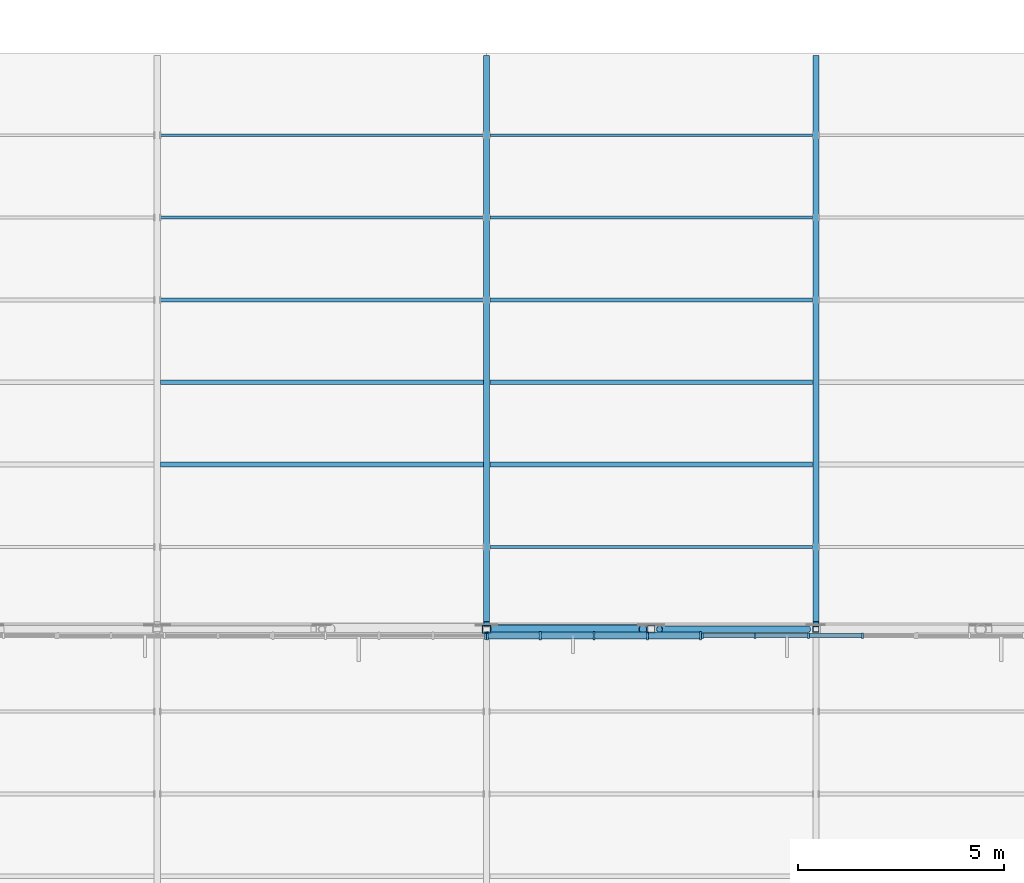
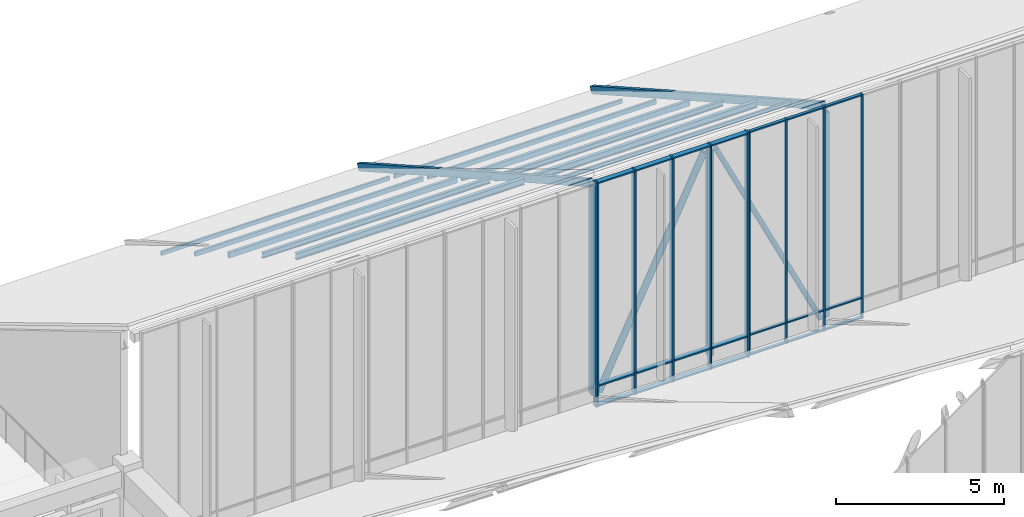
# One storey, part 71 of 155: 49 members, 3 elements without a shape of their own.
"""IFC4 building model written with IfcOpenShell, lengths in metres."""

from ifc_helpers import new_model, si_unit, direction, frame, origin, origin_2d, place, context, subcontext, project, spatial, rectangle, hollow_rectangle, hollow_circle, i_section, extrude, material, material_profile, profile_set, type_object, element, aggregate, save


model = new_model("IFC4")

# Units and contexts
model_context = context("Model", 3, precision=1e-05, world=origin(), true_north=direction((0.0, 1.0)))
body_context = subcontext(model_context, "Body", "Model", "MODEL_VIEW")
ifc_project = project(units=[si_unit("LENGTHUNIT", "METRE"), si_unit("AREAUNIT", "SQUARE_METRE"), si_unit("VOLUMEUNIT", "CUBIC_METRE"), si_unit("PLANEANGLEUNIT", "RADIAN"), si_unit("MASSUNIT", "GRAM", prefix="KILO")], contexts=[model_context])

# Site, building, storey
site_placement = place(None, origin())
site = spatial("IfcSite", under=ifc_project, at=site_placement, CompositionType="ELEMENT")
building_placement = place(site_placement, origin())
building = spatial("IfcBuilding", under=site, at=building_placement, Name="Larkveld Mobility Hub", CompositionType="ELEMENT")
storey_placement = place(building_placement, frame((0.0, 0.0, 8.39990234375)))
storey = spatial("IfcBuildingStorey", under=building, at=storey_placement, Name="L02", CompositionType="ELEMENT", Elevation=8.39990234375)

# Curtain wall, member
ifc_material_1 = material(Name="Anodised aluminium 6063-T6", Category="aluminium")
curtain_wall_type_1 = type_object("IfcCurtainWallType", Name="CW-SYS-10", PredefinedType="NOTDEFINED", material=ifc_material_1)
curtain_wall_1_placement = place(storey_placement, origin())
curtain_wall_1 = element("IfcCurtainWall", 1, at=curtain_wall_1_placement, inside=storey, type_object=curtain_wall_type_1, Name="Sawtooth South-Light Clerestory B7 CW-046", PredefinedType="NOTDEFINED")
ifc_material_profile_1 = material_profile(ifc_material_1, rectangle(XDim=0.050048828125, YDim=0.179931640625, at=origin_2d()), Name="ALU MULL 50x180")
ifc_profile_set_1 = profile_set([ifc_material_profile_1], Name="Anodised aluminium 6063-T6")
member_type_1 = type_object("IfcMemberType", Name="CW-MUL-02", PredefinedType="MULLION", material=ifc_profile_set_1)
member_1_placement = place(storey_placement, frame((167.97509765625, 111.844970703125, -0.001953125), z_axis=(0.0, 0.0, 1.0), x_axis=(1.0, 0.0, 0.0)))
member_1 = element("IfcMember", 2, at=member_1_placement, type_object=member_type_1, Name="CW10 mullion 5", PredefinedType="MULLION", context=body_context, shape_type="SweptSolid", body=[
    extrude(rectangle(XDim=0.050048828125, YDim=0.179931640625, at=origin_2d()), origin(), (0.0, 0.0, 1.0), 8.152099609375),
])
aggregate(curtain_wall_1, [member_1])

# Curtain wall, members
curtain_wall_type_2 = type_object("IfcCurtainWallType", Name="CW-SYS-11", PredefinedType="NOTDEFINED", material=ifc_material_1)
curtain_wall_2_placement = place(storey_placement, origin())
curtain_wall_2 = element("IfcCurtainWall", 3, at=curtain_wall_2_placement, inside=storey, type_object=curtain_wall_type_2, Name="Sawtooth South-Light Clerestory B7 CW-047", PredefinedType="NOTDEFINED")
ifc_material_profile_2 = material_profile(ifc_material_1, rectangle(XDim=0.050048828125, YDim=0.2099609375, at=origin_2d()), Name="ALU MULL 50x210")
ifc_profile_set_2 = profile_set([ifc_material_profile_2], Name="Anodised aluminium 6063-T6")
member_type_2 = type_object("IfcMemberType", Name="CW-MUL-03", PredefinedType="MULLION", material=ifc_profile_set_2)
member_2_placement = place(storey_placement, frame((168.02490234375, 111.844970703125, -0.001953125), z_axis=(0.0, 0.0, 1.0), x_axis=(1.0, 0.0, 0.0)))
member_2 = element("IfcMember", 4, at=member_2_placement, type_object=member_type_2, Name="CW11 mullion 1", PredefinedType="MULLION", context=body_context, shape_type="SweptSolid", body=[
    extrude(rectangle(XDim=0.050048828125, YDim=0.2099609375, at=origin_2d()), origin(), (0.0, 0.0, 1.0), 8.152099609375),
])
member_3_placement = place(storey_placement, frame((169.303955078125, 111.844970703125, -0.001953125), z_axis=(0.0, 0.0, 1.0), x_axis=(1.0, 0.0, 0.0)))
member_3 = element("IfcMember", 5, at=member_3_placement, type_object=member_type_2, Name="CW11 mullion 2", PredefinedType="MULLION", context=body_context, shape_type="SweptSolid", body=[
    extrude(rectangle(XDim=0.050048828125, YDim=0.2099609375, at=origin_2d()), origin(), (0.0, 0.0, 1.0), 8.152099609375),
])
member_4_placement = place(storey_placement, frame((170.60791015625, 111.844970703125, -0.001953125), z_axis=(0.0, 0.0, 1.0), x_axis=(1.0, 0.0, 0.0)))
member_4 = element("IfcMember", 6, at=member_4_placement, type_object=member_type_2, Name="CW11 mullion 3", PredefinedType="MULLION", context=body_context, shape_type="SweptSolid", body=[
    extrude(rectangle(XDim=0.050048828125, YDim=0.2099609375, at=origin_2d()), origin(), (0.0, 0.0, 1.0), 8.152099609375),
])
member_5_placement = place(storey_placement, frame((171.912109375, 111.844970703125, -0.001953125), z_axis=(0.0, 0.0, 1.0), x_axis=(1.0, 0.0, 0.0)))
member_5 = element("IfcMember", 7, at=member_5_placement, type_object=member_type_2, Name="CW11 mullion 4", PredefinedType="MULLION", context=body_context, shape_type="SweptSolid", body=[
    extrude(rectangle(XDim=0.050048828125, YDim=0.2099609375, at=origin_2d()), origin(), (0.0, 0.0, 1.0), 8.152099609375),
])
member_6_placement = place(storey_placement, frame((173.19189453125, 111.844970703125, -0.001953125), z_axis=(0.0, 0.0, 1.0), x_axis=(1.0, 0.0, 0.0)))
member_6 = element("IfcMember", 8, at=member_6_placement, type_object=member_type_2, Name="CW11 mullion 5", PredefinedType="MULLION", context=body_context, shape_type="SweptSolid", body=[
    extrude(rectangle(XDim=0.050048828125, YDim=0.2099609375, at=origin_2d()), origin(), (0.0, 0.0, 1.0), 8.152099609375),
])

curtain_wall_type_3 = type_object("IfcCurtainWallType", Name="CW-SYS-12", PredefinedType="NOTDEFINED", material=ifc_material_1)
curtain_wall_3_placement = place(storey_placement, origin())
curtain_wall_3 = element("IfcCurtainWall", 9, at=curtain_wall_3_placement, inside=storey, type_object=curtain_wall_type_3, Name="Sawtooth South-Light Clerestory B7 CW-048", PredefinedType="NOTDEFINED")
ifc_material_profile_3 = material_profile(ifc_material_1, rectangle(XDim=0.050048828125, YDim=0.1298828125, at=origin_2d()), Name="ALU MULL 50x130")
ifc_profile_set_3 = profile_set([ifc_material_profile_3], Name="Anodised aluminium 6063-T6")
member_type_3 = type_object("IfcMemberType", Name="CW-MUL-04", PredefinedType="MULLION", material=ifc_profile_set_3)
member_7_placement = place(storey_placement, frame((173.241943359375, 111.844970703125, -0.001953125), z_axis=(0.0, 0.0, 1.0), x_axis=(1.0, 0.0, 0.0)))
member_7 = element("IfcMember", 10, at=member_7_placement, type_object=member_type_3, Name="CW12 mullion 1", PredefinedType="MULLION", context=body_context, shape_type="SweptSolid", body=[
    extrude(rectangle(XDim=0.050048828125, YDim=0.1298828125, at=origin_2d()), origin(), (0.0, 0.0, 1.0), 8.152099609375),
])
member_8_placement = place(storey_placement, frame((174.52099609375, 111.844970703125, -0.001953125), z_axis=(0.0, 0.0, 1.0), x_axis=(1.0, 0.0, 0.0)))
member_8 = element("IfcMember", 11, at=member_8_placement, type_object=member_type_3, Name="CW12 mullion 2", PredefinedType="MULLION", context=body_context, shape_type="SweptSolid", body=[
    extrude(rectangle(XDim=0.050048828125, YDim=0.1298828125, at=origin_2d()), origin(), (0.0, 0.0, 1.0), 8.152099609375),
])
member_9_placement = place(storey_placement, frame((175.824951171875, 111.844970703125, -0.001953125), z_axis=(0.0, 0.0, 1.0), x_axis=(1.0, 0.0, 0.0)))
member_9 = element("IfcMember", 12, at=member_9_placement, type_object=member_type_3, Name="CW12 mullion 3", PredefinedType="MULLION", context=body_context, shape_type="SweptSolid", body=[
    extrude(rectangle(XDim=0.050048828125, YDim=0.1298828125, at=origin_2d()), origin(), (0.0, 0.0, 1.0), 8.152099609375),
])
member_10_placement = place(storey_placement, frame((177.1298828125, 111.844970703125, -0.001953125), z_axis=(0.0, 0.0, 1.0), x_axis=(1.0, 0.0, 0.0)))
member_10 = element("IfcMember", 13, at=member_10_placement, type_object=member_type_3, Name="CW12 mullion 4", PredefinedType="MULLION", context=body_context, shape_type="SweptSolid", body=[
    extrude(rectangle(XDim=0.050048828125, YDim=0.1298828125, at=origin_2d()), origin(), (0.0, 0.0, 1.0), 8.152099609375),
])

# Member
ifc_material_profile_4 = material_profile(ifc_material_1, rectangle(XDim=0.169921875, YDim=0.050048828125, at=origin_2d()), Name="ALU TRAN 50x170")
ifc_profile_set_4 = profile_set([ifc_material_profile_4], Name="Anodised aluminium 6063-T6")
member_type_4 = type_object("IfcMemberType", Name="CW-TRN-03", PredefinedType="USERDEFINED", material=ifc_profile_set_4)
member_11_placement = place(storey_placement, frame((168.034912109375, 111.844970703125, 0.030029296875), z_axis=(1.0, 0.0, 0.0), x_axis=(0.0, 1.0, 0.0)))
member_11 = element("IfcMember", 14, at=member_11_placement, type_object=member_type_4, Name="CW11 transom 1.1", ObjectType="TRANSOM", PredefinedType="USERDEFINED", context=body_context, shape_type="SweptSolid", body=[
    extrude(rectangle(XDim=0.169921875, YDim=0.050048828125, at=origin_2d()), origin(), (0.0, 0.0, 1.0), 1.254150390625),
])

member_12_placement = place(storey_placement, frame((168.034912109375, 111.844970703125, 0.75), z_axis=(1.0, 0.0, 0.0), x_axis=(0.0, 1.0, 0.0)))
member_12 = element("IfcMember", 15, at=member_12_placement, type_object=member_type_4, Name="CW11 transom 1.2", ObjectType="TRANSOM", PredefinedType="USERDEFINED", context=body_context, shape_type="SweptSolid", body=[
    extrude(rectangle(XDim=0.169921875, YDim=0.050048828125, at=origin_2d()), origin(), (0.0, 0.0, 1.0), 1.254150390625),
])

member_13_placement = place(storey_placement, frame((168.034912109375, 111.844970703125, 8.1181640625), z_axis=(1.0, 0.0, 0.0), x_axis=(0.0, 1.0, 0.0)))
member_13 = element("IfcMember", 16, at=member_13_placement, type_object=member_type_4, Name="CW11 transom 1.3", ObjectType="TRANSOM", PredefinedType="USERDEFINED", context=body_context, shape_type="SweptSolid", body=[
    extrude(rectangle(XDim=0.169921875, YDim=0.050048828125, at=origin_2d()), origin(), (0.0, 0.0, 1.0), 1.254150390625),
])

member_14_placement = place(storey_placement, frame((169.319091796875, 111.844970703125, 0.030029296875), z_axis=(1.0, 0.0, 0.0), x_axis=(0.0, 1.0, 0.0)))
member_14 = element("IfcMember", 17, at=member_14_placement, type_object=member_type_4, Name="CW11 transom 2.1", ObjectType="TRANSOM", PredefinedType="USERDEFINED", context=body_context, shape_type="SweptSolid", body=[
    extrude(rectangle(XDim=0.169921875, YDim=0.050048828125, at=origin_2d()), origin(), (0.0, 0.0, 1.0), 1.27392578125),
])

member_15_placement = place(storey_placement, frame((169.319091796875, 111.844970703125, 0.75), z_axis=(1.0, 0.0, 0.0), x_axis=(0.0, 1.0, 0.0)))
member_15 = element("IfcMember", 18, at=member_15_placement, type_object=member_type_4, Name="CW11 transom 2.2", ObjectType="TRANSOM", PredefinedType="USERDEFINED", context=body_context, shape_type="SweptSolid", body=[
    extrude(rectangle(XDim=0.169921875, YDim=0.050048828125, at=origin_2d()), origin(), (0.0, 0.0, 1.0), 1.27392578125),
])

member_16_placement = place(storey_placement, frame((169.319091796875, 111.844970703125, 8.1181640625), z_axis=(1.0, 0.0, 0.0), x_axis=(0.0, 1.0, 0.0)))
member_16 = element("IfcMember", 19, at=member_16_placement, type_object=member_type_4, Name="CW11 transom 2.3", ObjectType="TRANSOM", PredefinedType="USERDEFINED", context=body_context, shape_type="SweptSolid", body=[
    extrude(rectangle(XDim=0.169921875, YDim=0.050048828125, at=origin_2d()), origin(), (0.0, 0.0, 1.0), 1.27392578125),
])

member_17_placement = place(storey_placement, frame((170.623046875, 111.844970703125, 0.030029296875), z_axis=(1.0, 0.0, 0.0), x_axis=(0.0, 1.0, 0.0)))
member_17 = element("IfcMember", 20, at=member_17_placement, type_object=member_type_4, Name="CW11 transom 3.1", ObjectType="TRANSOM", PredefinedType="USERDEFINED", context=body_context, shape_type="SweptSolid", body=[
    extrude(rectangle(XDim=0.169921875, YDim=0.050048828125, at=origin_2d()), origin(), (0.0, 0.0, 1.0), 1.27490234375),
])

member_18_placement = place(storey_placement, frame((170.623046875, 111.844970703125, 0.75), z_axis=(1.0, 0.0, 0.0), x_axis=(0.0, 1.0, 0.0)))
member_18 = element("IfcMember", 21, at=member_18_placement, type_object=member_type_4, Name="CW11 transom 3.2", ObjectType="TRANSOM", PredefinedType="USERDEFINED", context=body_context, shape_type="SweptSolid", body=[
    extrude(rectangle(XDim=0.169921875, YDim=0.050048828125, at=origin_2d()), origin(), (0.0, 0.0, 1.0), 1.27490234375),
])

member_19_placement = place(storey_placement, frame((170.623046875, 111.844970703125, 8.1181640625), z_axis=(1.0, 0.0, 0.0), x_axis=(0.0, 1.0, 0.0)))
member_19 = element("IfcMember", 22, at=member_19_placement, type_object=member_type_4, Name="CW11 transom 3.3", ObjectType="TRANSOM", PredefinedType="USERDEFINED", context=body_context, shape_type="SweptSolid", body=[
    extrude(rectangle(XDim=0.169921875, YDim=0.050048828125, at=origin_2d()), origin(), (0.0, 0.0, 1.0), 1.27490234375),
])

member_20_placement = place(storey_placement, frame((171.927978515625, 111.844970703125, 0.030029296875), z_axis=(1.0, 0.0, 0.0), x_axis=(0.0, 1.0, 0.0)))
member_20 = element("IfcMember", 23, at=member_20_placement, type_object=member_type_4, Name="CW11 transom 4.1", ObjectType="TRANSOM", PredefinedType="USERDEFINED", context=body_context, shape_type="SweptSolid", body=[
    extrude(rectangle(XDim=0.169921875, YDim=0.050048828125, at=origin_2d()), origin(), (0.0, 0.0, 1.0), 1.25390625),
])

member_21_placement = place(storey_placement, frame((171.927978515625, 111.844970703125, 0.75), z_axis=(1.0, 0.0, 0.0), x_axis=(0.0, 1.0, 0.0)))
member_21 = element("IfcMember", 24, at=member_21_placement, type_object=member_type_4, Name="CW11 transom 4.2", ObjectType="TRANSOM", PredefinedType="USERDEFINED", context=body_context, shape_type="SweptSolid", body=[
    extrude(rectangle(XDim=0.169921875, YDim=0.050048828125, at=origin_2d()), origin(), (0.0, 0.0, 1.0), 1.25390625),
])

member_22_placement = place(storey_placement, frame((171.927978515625, 111.844970703125, 8.1181640625), z_axis=(1.0, 0.0, 0.0), x_axis=(0.0, 1.0, 0.0)))
member_22 = element("IfcMember", 25, at=member_22_placement, type_object=member_type_4, Name="CW11 transom 4.3", ObjectType="TRANSOM", PredefinedType="USERDEFINED", context=body_context, shape_type="SweptSolid", body=[
    extrude(rectangle(XDim=0.169921875, YDim=0.050048828125, at=origin_2d()), origin(), (0.0, 0.0, 1.0), 1.25390625),
])

aggregate(curtain_wall_2, [member_2, member_3, member_4, member_5, member_6, member_11, member_12, member_13, member_14, member_15, member_16, member_17, member_18, member_19, member_20, member_21, member_22])

ifc_material_profile_5 = material_profile(ifc_material_1, rectangle(XDim=0.10009765625, YDim=0.050048828125, at=origin_2d()), Name="ALU TRAN 50x100")
ifc_profile_set_5 = profile_set([ifc_material_profile_5], Name="Anodised aluminium 6063-T6")
member_type_5 = type_object("IfcMemberType", Name="CW-TRN-04", PredefinedType="USERDEFINED", material=ifc_profile_set_5)
member_23_placement = place(storey_placement, frame((173.251953125, 111.844970703125, 0.030029296875), z_axis=(1.0, 0.0, 0.0), x_axis=(0.0, 1.0, 0.0)))
member_23 = element("IfcMember", 26, at=member_23_placement, type_object=member_type_5, Name="CW12 transom 1.1", ObjectType="TRANSOM", PredefinedType="USERDEFINED", context=body_context, shape_type="SweptSolid", body=[
    extrude(rectangle(XDim=0.10009765625, YDim=0.050048828125, at=origin_2d()), origin(), (0.0, 0.0, 1.0), 1.254150390625),
])

member_24_placement = place(storey_placement, frame((173.251953125, 111.844970703125, 0.75), z_axis=(1.0, 0.0, 0.0), x_axis=(0.0, 1.0, 0.0)))
member_24 = element("IfcMember", 27, at=member_24_placement, type_object=member_type_5, Name="CW12 transom 1.2", ObjectType="TRANSOM", PredefinedType="USERDEFINED", context=body_context, shape_type="SweptSolid", body=[
    extrude(rectangle(XDim=0.10009765625, YDim=0.050048828125, at=origin_2d()), origin(), (0.0, 0.0, 1.0), 1.254150390625),
])

member_25_placement = place(storey_placement, frame((173.251953125, 111.844970703125, 8.1181640625), z_axis=(1.0, 0.0, 0.0), x_axis=(0.0, 1.0, 0.0)))
member_25 = element("IfcMember", 28, at=member_25_placement, type_object=member_type_5, Name="CW12 transom 1.3", ObjectType="TRANSOM", PredefinedType="USERDEFINED", context=body_context, shape_type="SweptSolid", body=[
    extrude(rectangle(XDim=0.10009765625, YDim=0.050048828125, at=origin_2d()), origin(), (0.0, 0.0, 1.0), 1.254150390625),
])

member_26_placement = place(storey_placement, frame((174.535888671875, 111.844970703125, 0.030029296875), z_axis=(1.0, 0.0, 0.0), x_axis=(0.0, 1.0, 0.0)))
member_26 = element("IfcMember", 29, at=member_26_placement, type_object=member_type_5, Name="CW12 transom 2.1", ObjectType="TRANSOM", PredefinedType="USERDEFINED", context=body_context, shape_type="SweptSolid", body=[
    extrude(rectangle(XDim=0.10009765625, YDim=0.050048828125, at=origin_2d()), origin(), (0.0, 0.0, 1.0), 1.274169921875),
])

member_27_placement = place(storey_placement, frame((174.535888671875, 111.844970703125, 0.75), z_axis=(1.0, 0.0, 0.0), x_axis=(0.0, 1.0, 0.0)))
member_27 = element("IfcMember", 30, at=member_27_placement, type_object=member_type_5, Name="CW12 transom 2.2", ObjectType="TRANSOM", PredefinedType="USERDEFINED", context=body_context, shape_type="SweptSolid", body=[
    extrude(rectangle(XDim=0.10009765625, YDim=0.050048828125, at=origin_2d()), origin(), (0.0, 0.0, 1.0), 1.274169921875),
])

member_28_placement = place(storey_placement, frame((174.535888671875, 111.844970703125, 8.1181640625), z_axis=(1.0, 0.0, 0.0), x_axis=(0.0, 1.0, 0.0)))
member_28 = element("IfcMember", 31, at=member_28_placement, type_object=member_type_5, Name="CW12 transom 2.3", ObjectType="TRANSOM", PredefinedType="USERDEFINED", context=body_context, shape_type="SweptSolid", body=[
    extrude(rectangle(XDim=0.10009765625, YDim=0.050048828125, at=origin_2d()), origin(), (0.0, 0.0, 1.0), 1.274169921875),
])

member_29_placement = place(storey_placement, frame((175.840087890625, 111.844970703125, 0.030029296875), z_axis=(1.0, 0.0, 0.0), x_axis=(0.0, 1.0, 0.0)))
member_29 = element("IfcMember", 32, at=member_29_placement, type_object=member_type_5, Name="CW12 transom 3.1", ObjectType="TRANSOM", PredefinedType="USERDEFINED", context=body_context, shape_type="SweptSolid", body=[
    extrude(rectangle(XDim=0.10009765625, YDim=0.050048828125, at=origin_2d()), origin(), (0.0, 0.0, 1.0), 1.27490234375),
])

member_30_placement = place(storey_placement, frame((175.840087890625, 111.844970703125, 0.75), z_axis=(1.0, 0.0, 0.0), x_axis=(0.0, 1.0, 0.0)))
member_30 = element("IfcMember", 33, at=member_30_placement, type_object=member_type_5, Name="CW12 transom 3.2", ObjectType="TRANSOM", PredefinedType="USERDEFINED", context=body_context, shape_type="SweptSolid", body=[
    extrude(rectangle(XDim=0.10009765625, YDim=0.050048828125, at=origin_2d()), origin(), (0.0, 0.0, 1.0), 1.27490234375),
])

member_31_placement = place(storey_placement, frame((175.840087890625, 111.844970703125, 8.1181640625), z_axis=(1.0, 0.0, 0.0), x_axis=(0.0, 1.0, 0.0)))
member_31 = element("IfcMember", 34, at=member_31_placement, type_object=member_type_5, Name="CW12 transom 3.3", ObjectType="TRANSOM", PredefinedType="USERDEFINED", context=body_context, shape_type="SweptSolid", body=[
    extrude(rectangle(XDim=0.10009765625, YDim=0.050048828125, at=origin_2d()), origin(), (0.0, 0.0, 1.0), 1.27490234375),
])

aggregate(curtain_wall_3, [member_7, member_8, member_9, member_10, member_23, member_24, member_25, member_26, member_27, member_28, member_29, member_30, member_31])

# Members
ifc_material_2 = material(Name="Steel S355JR", Category="steel")
ifc_material_profile_6 = material_profile(ifc_material_2, hollow_circle(Radius=0.084228515625, WallThickness=0.008056640625, at=origin_2d()), Name="CHS 168.3x8")
ifc_profile_set_6 = profile_set([ifc_material_profile_6], Name="Steel S355JR")
member_type_6 = type_object("IfcMemberType", Name="MB-BR-CHS168", PredefinedType="BRACE", material=ifc_profile_set_6)
member_32_placement = place(storey_placement, frame((172.199951171875, 112.0, 7.800048828125), z_axis=(0.435573281392, 0.0, -0.900153273914), x_axis=(0.0, 1.0, 0.0)))
element("IfcMember", 35, at=member_32_placement, inside=storey, type_object=member_type_6, Name="ROOF TRUSS T7 Web Diagonal 6", PredefinedType="BRACE", context=body_context, shape_type="SweptSolid", body=[
    extrude(hollow_circle(Radius=0.084228515625, WallThickness=0.008056640625, at=origin_2d()), origin(), (0.0, 0.0, 1.0), 8.26513671875),
])
ifc_material_profile_7 = material_profile(ifc_material_2, hollow_circle(Radius=0.109619140625, WallThickness=0.010009765625, at=origin_2d()), Name="CHS 219.1x10")
ifc_profile_set_7 = profile_set([ifc_material_profile_7], Name="Steel S355JR")
member_type_7 = type_object("IfcMemberType", Name="MB-BR-CHS219", PredefinedType="BRACE", material=ifc_profile_set_7)
member_33_placement = place(storey_placement, frame((168.199951171875, 112.0, 0.360107421875), z_axis=(0.435573281392, 0.0, 0.900153273914), x_axis=(0.0, 1.0, 0.0)))
element("IfcMember", 36, at=member_33_placement, inside=storey, type_object=member_type_7, Name="ROOF TRUSS T7 Web Diagonal 5", PredefinedType="BRACE", context=body_context, shape_type="SweptSolid", body=[
    extrude(hollow_circle(Radius=0.109619140625, WallThickness=0.010009765625, at=origin_2d()), origin(), (0.0, 0.0, 1.0), 8.26513671875),
])
ifc_material_profile_8 = material_profile(ifc_material_2, hollow_rectangle(XDim=0.14990234375, YDim=0.14990234375, WallThickness=0.008056640625, at=origin_2d()), Name="SHS 150x150x8")
ifc_profile_set_8 = profile_set([ifc_material_profile_8], Name="Steel S355JR")
member_type_8 = type_object("IfcMemberType", Name="MB-BR-SHS150", PredefinedType="BRACE", material=ifc_profile_set_8)
member_34_placement = place(storey_placement, frame((176.0, 112.0, 0.360107421875), z_axis=(0.0, 0.0, 1.0), x_axis=(1.0, 0.0, 0.0)))
element("IfcMember", 37, at=member_34_placement, inside=storey, type_object=member_type_8, Name="ROOF TRUSS T7 Vertical Post 6", PredefinedType="BRACE", context=body_context, shape_type="SweptSolid", body=[
    extrude(hollow_rectangle(XDim=0.14990234375, YDim=0.14990234375, WallThickness=0.008056640625, at=origin_2d()), origin(), (0.0, 0.0, 1.0), 7.43994140625),
])
ifc_material_profile_9 = material_profile(ifc_material_2, hollow_rectangle(XDim=0.179931640625, YDim=0.179931640625, WallThickness=0.010009765625, at=origin_2d()), Name="SHS 180x180x10")
ifc_profile_set_9 = profile_set([ifc_material_profile_9], Name="Steel S355JR")
member_type_9 = type_object("IfcMemberType", Name="MB-BR-SHS180", PredefinedType="BRACE", material=ifc_profile_set_9)
member_35_placement = place(storey_placement, frame((172.0, 112.0, 0.360107421875), z_axis=(0.0, 0.0, 1.0), x_axis=(1.0, 0.0, 0.0)))
element("IfcMember", 38, at=member_35_placement, inside=storey, type_object=member_type_9, Name="ROOF TRUSS T7 Vertical Post 5", PredefinedType="BRACE", context=body_context, shape_type="SweptSolid", body=[
    extrude(hollow_rectangle(XDim=0.179931640625, YDim=0.179931640625, WallThickness=0.010009765625, at=origin_2d()), origin(), (0.0, 0.0, 1.0), 7.43994140625),
])
ifc_material_profile_10 = material_profile(ifc_material_2, hollow_rectangle(XDim=0.199951171875, YDim=0.199951171875, WallThickness=0.010009765625, at=origin_2d()), Name="SHS 200x200x10")
ifc_profile_set_10 = profile_set([ifc_material_profile_10], Name="Steel S355JR")
member_type_10 = type_object("IfcMemberType", Name="MB-BR-SHS200", PredefinedType="BRACE", material=ifc_profile_set_10)
member_36_placement = place(storey_placement, frame((168.0, 112.0, 0.360107421875), z_axis=(0.0, 0.0, 1.0), x_axis=(1.0, 0.0, 0.0)))
element("IfcMember", 39, at=member_36_placement, inside=storey, type_object=member_type_10, Name="ROOF TRUSS T7 Vertical Post 4", PredefinedType="BRACE", context=body_context, shape_type="SweptSolid", body=[
    extrude(hollow_rectangle(XDim=0.199951171875, YDim=0.199951171875, WallThickness=0.010009765625, at=origin_2d()), origin(), (0.0, 0.0, 1.0), 7.43994140625),
])
ifc_material_profile_11 = material_profile(ifc_material_2, hollow_rectangle(XDim=0.14990234375, YDim=0.25, WallThickness=0.010009765625, at=origin_2d()), Name="RHS 250x150x10")
ifc_profile_set_11 = profile_set([ifc_material_profile_11], Name="Steel S355JR")
member_type_11 = type_object("IfcMemberType", Name="MB-CH-RHS250", PredefinedType="CHORD", material=ifc_profile_set_11)
for number, where, z_axis, x_axis, name in (
    (40, (168.0, 112.1201171875, 7.9501953125), (0.0, 0.870759014799, -0.491710014283), (-1.0, 0.0, 0.0), "ROOF TRUSS Sloped Rafter Chord B7-168"),
    (41, (176.0, 112.1201171875, 7.9501953125), (0.0, 0.870759014799, -0.491710014283), (-1.0, 0.0, 0.0), "ROOF TRUSS Sloped Rafter Chord B7-176"),
):
    element("IfcMember", number, at=place(storey_placement, frame(where, z_axis=z_axis, x_axis=x_axis)), inside=storey, type_object=member_type_11, Name=name, PredefinedType="CHORD", context=body_context, shape_type="SweptSolid", body=[
        extrude(hollow_rectangle(XDim=0.14990234375, YDim=0.25, WallThickness=0.010009765625, at=origin_2d()), origin(), (0.0, 0.0, 1.0), 15.802001953125),
    ])
ifc_material_profile_12 = material_profile(ifc_material_2, i_section(OverallWidth=0.10009765625, OverallDepth=0.199951171875, WebThickness=0.005615234375, FlangeThickness=0.008544921875, FilletRadius=0.011962890625, at=origin_2d()), Name="IPE 200")
ifc_profile_set_12 = profile_set([ifc_material_profile_12], Name="Steel S355JR")
member_type_12 = type_object("IfcMemberType", Name="MB-PR-IPE200", PredefinedType="PURLIN", material=ifc_profile_set_12)
for number, where, z_axis, x_axis, name in (
    (42, (160.080078125, 118.0, 4.507080078125), (1.0, 0.0, 0.0), (0.0, 1.0, 0.0), "Sawtooth Roof Purlin B7-3.2"),
    (43, (168.080078125, 118.0, 4.507080078125), (1.0, 0.0, 0.0), (0.0, 1.0, 0.0), "Sawtooth Roof Purlin B7-3.3"),
):
    element("IfcMember", number, at=place(storey_placement, frame(where, z_axis=z_axis, x_axis=x_axis)), inside=storey, type_object=member_type_12, Name=name, PredefinedType="PURLIN", context=body_context, shape_type="SweptSolid", body=[
        extrude(i_section(OverallWidth=0.10009765625, OverallDepth=0.199951171875, WebThickness=0.005615234375, FlangeThickness=0.008544921875, FilletRadius=0.011962890625, at=origin_2d()), origin(), (0.0, 0.0, 1.0), 7.83984375),
    ])
ifc_material_profile_13 = material_profile(ifc_material_2, i_section(OverallWidth=0.1201171875, OverallDepth=0.239990234375, WebThickness=0.006103515625, FlangeThickness=0.009765625, FilletRadius=0.014892578125, at=origin_2d()), Name="IPE 240")
ifc_profile_set_13 = profile_set([ifc_material_profile_13], Name="Steel S355JR")
member_type_13 = type_object("IfcMemberType", Name="MB-PR-IPE240", PredefinedType="PURLIN", material=ifc_profile_set_13)
for number, where, z_axis, x_axis, name in (
    (44, (160.080078125, 116.0, 5.68701171875), (1.0, 0.0, 0.0), (0.0, 1.0, 0.0), "Sawtooth Roof Purlin B7-2.2"),
    (45, (168.080078125, 116.0, 5.68701171875), (1.0, 0.0, 0.0), (0.0, 1.0, 0.0), "Sawtooth Roof Purlin B7-2.3"),
):
    element("IfcMember", number, at=place(storey_placement, frame(where, z_axis=z_axis, x_axis=x_axis)), inside=storey, type_object=member_type_13, Name=name, PredefinedType="PURLIN", context=body_context, shape_type="SweptSolid", body=[
        extrude(i_section(OverallWidth=0.1201171875, OverallDepth=0.239990234375, WebThickness=0.006103515625, FlangeThickness=0.009765625, FilletRadius=0.014892578125, at=origin_2d()), origin(), (0.0, 0.0, 1.0), 7.83984375),
    ])
ifc_material_profile_14 = material_profile(ifc_material_2, hollow_rectangle(XDim=0.070068359375, YDim=0.139892578125, WallThickness=0.00634765625, at=origin_2d()), Name="RHS 140x70x6.3")
ifc_profile_set_14 = profile_set([ifc_material_profile_14], Name="Steel S355JR")
member_type_14 = type_object("IfcMemberType", Name="MB-PR-RHS140", PredefinedType="PURLIN", material=ifc_profile_set_14)
for number, where, z_axis, x_axis, name in (
    (46, (168.080078125, 114.0, 6.93701171875), (1.0, 0.0, 0.0), (0.0, 1.0, 0.0), "Sawtooth Roof Purlin B7-1.3"),
    (47, (160.080078125, 124.0, 0.93701171875), (1.0, 0.0, 0.0), (0.0, 1.0, 0.0), "Sawtooth Roof Purlin B7-6.2"),
    (48, (168.080078125, 124.0, 0.93701171875), (1.0, 0.0, 0.0), (0.0, 1.0, 0.0), "Sawtooth Roof Purlin B7-6.3"),
):
    element("IfcMember", number, at=place(storey_placement, frame(where, z_axis=z_axis, x_axis=x_axis)), inside=storey, type_object=member_type_14, Name=name, PredefinedType="PURLIN", context=body_context, shape_type="SweptSolid", body=[
        extrude(hollow_rectangle(XDim=0.070068359375, YDim=0.139892578125, WallThickness=0.00634765625, at=origin_2d()), origin(), (0.0, 0.0, 1.0), 7.83984375),
    ])
ifc_material_profile_15 = material_profile(ifc_material_2, hollow_rectangle(XDim=0.080078125, YDim=0.159912109375, WallThickness=0.008056640625, at=origin_2d()), Name="RHS 160x80x8")
ifc_profile_set_15 = profile_set([ifc_material_profile_15], Name="Steel S355JR")
member_type_15 = type_object("IfcMemberType", Name="MB-PR-RHS160", PredefinedType="PURLIN", material=ifc_profile_set_15)
for number, where, z_axis, x_axis, name in (
    (49, (160.080078125, 122.0, 2.127197265625), (1.0, 0.0, 0.0), (0.0, 1.0, 0.0), "Sawtooth Roof Purlin B7-5.2"),
    (50, (168.080078125, 122.0, 2.127197265625), (1.0, 0.0, 0.0), (0.0, 1.0, 0.0), "Sawtooth Roof Purlin B7-5.3"),
):
    element("IfcMember", number, at=place(storey_placement, frame(where, z_axis=z_axis, x_axis=x_axis)), inside=storey, type_object=member_type_15, Name=name, PredefinedType="PURLIN", context=body_context, shape_type="SweptSolid", body=[
        extrude(hollow_rectangle(XDim=0.080078125, YDim=0.159912109375, WallThickness=0.008056640625, at=origin_2d()), origin(), (0.0, 0.0, 1.0), 7.83984375),
    ])
ifc_material_profile_16 = material_profile(ifc_material_2, hollow_rectangle(XDim=0.10009765625, YDim=0.199951171875, WallThickness=0.008056640625, at=origin_2d()), Name="RHS 200x100x8")
ifc_profile_set_16 = profile_set([ifc_material_profile_16], Name="Steel S355JR")
member_type_16 = type_object("IfcMemberType", Name="MB-PR-RHS200", PredefinedType="PURLIN", material=ifc_profile_set_16)
for number, where, z_axis, x_axis, name in (
    (51, (160.080078125, 120.0, 3.30712890625), (1.0, 0.0, 0.0), (0.0, 1.0, 0.0), "Sawtooth Roof Purlin B7-4.2"),
    (52, (168.080078125, 120.0, 3.30712890625), (1.0, 0.0, 0.0), (0.0, 1.0, 0.0), "Sawtooth Roof Purlin B7-4.3"),
):
    element("IfcMember", number, at=place(storey_placement, frame(where, z_axis=z_axis, x_axis=x_axis)), inside=storey, type_object=member_type_16, Name=name, PredefinedType="PURLIN", context=body_context, shape_type="SweptSolid", body=[
        extrude(hollow_rectangle(XDim=0.10009765625, YDim=0.199951171875, WallThickness=0.008056640625, at=origin_2d()), origin(), (0.0, 0.0, 1.0), 7.83984375),
    ])

save(model, "model.ifc")
